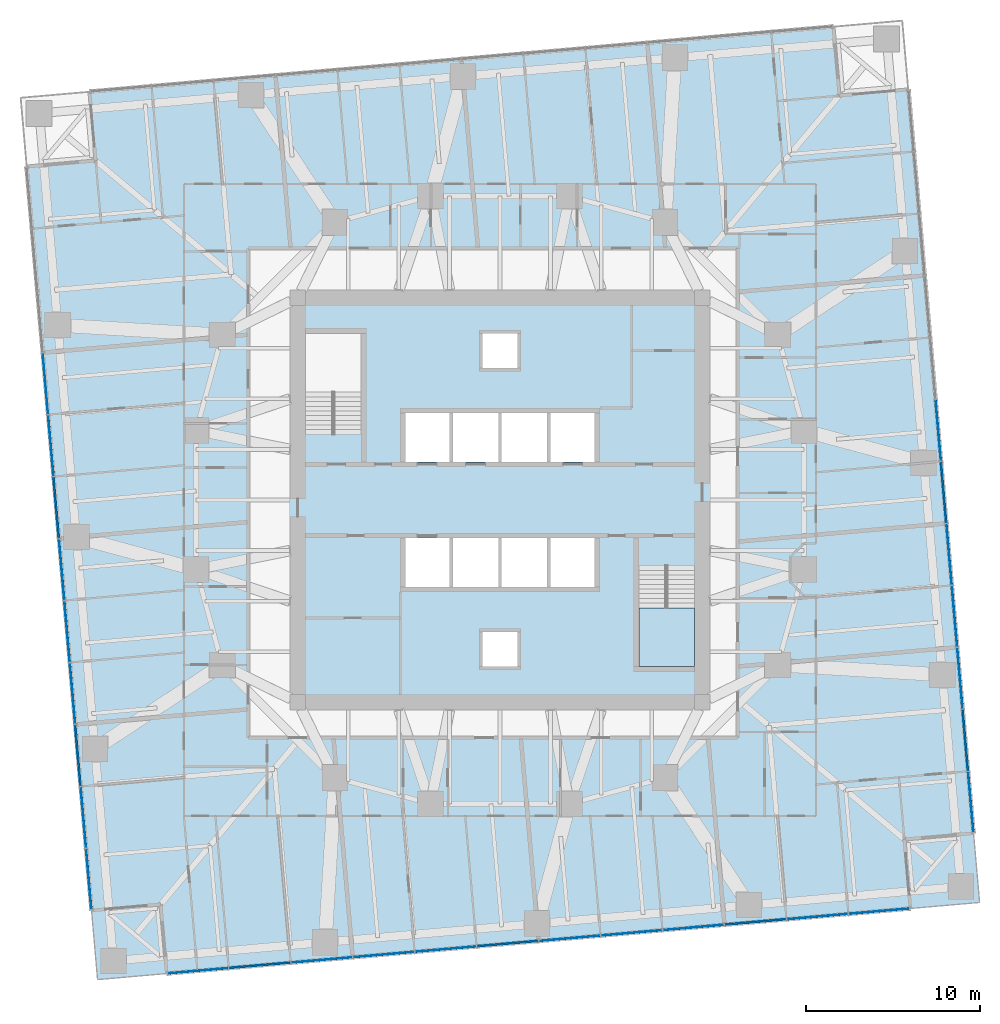
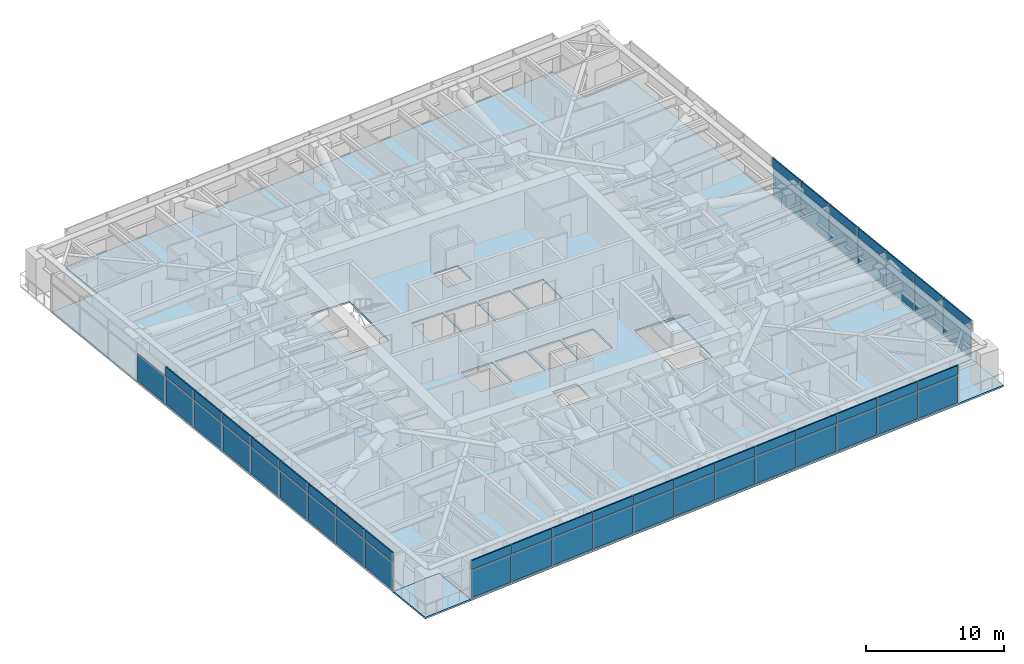
# One storey, part 9 of 18: 55 plates, 4 slabs, 4 elements without a shape of their own.
"""IFC4 building model written with IfcOpenShell, lengths in metres."""

from ifc_helpers import new_model, si_unit, direction, frame, origin, origin_2d, place, context, subcontext, project, spatial, polyline, rectangle, outline, extrude, material, layer, layer_set, type_object, element, aggregate, save


model = new_model("IFC4")

# Units and contexts
model_context = context("Model", 3, precision=1e-05, world=origin(), true_north=direction((0.0, 1.0)))
body_context = subcontext(model_context, "Body", "Model", "MODEL_VIEW")
ifc_project = project(units=[si_unit("LENGTHUNIT", "METRE"), si_unit("AREAUNIT", "SQUARE_METRE"), si_unit("VOLUMEUNIT", "CUBIC_METRE"), si_unit("PLANEANGLEUNIT", "RADIAN"), si_unit("MASSUNIT", "GRAM", prefix="KILO")], contexts=[model_context])

# Site, building, storey
site_placement = place(None, origin())
site = spatial("IfcSite", under=ifc_project, at=site_placement, CompositionType="ELEMENT")
building_placement = place(site_placement, origin())
building = spatial("IfcBuilding", under=site, at=building_placement, Name="Torsade Residences", CompositionType="ELEMENT")
storey_placement = place(building_placement, frame((0.0, 0.0, 71.0)))
storey = spatial("IfcBuildingStorey", under=building, at=storey_placement, Name="L19", CompositionType="ELEMENT", Elevation=71.0)

# Slab
ifc_material_1 = material(Name="Concrete 40 MPa", Category="concrete")
ifc_layer_1 = layer(ifc_material_1, 0.14990234375)
ifc_layer_set_1 = layer_set([ifc_layer_1], Name="Concrete 40 MPa")
slab_type_1 = type_object("IfcSlabType", Name="COMPOSITE FLOOR SLAB 150", PredefinedType="FLOOR", material=ifc_layer_set_1)
slab_1_placement = place(storey_placement, frame((0.0, 0.0, -0.14990234375)))
element("IfcSlab", 1, at=slab_1_placement, inside=storey, type_object=slab_type_1, Name="Floor slab L19", PredefinedType="FLOOR", context=body_context, shape_type="SweptSolid", body=[
    extrude(outline(polyline([(20.80419921875, 2.72314453125), (63.640625, 6.470947265625), (63.2919921875, 10.45556640625), (67.27685546875, 10.80419921875), (63.529052734375, 53.640625), (59.54443359375, 53.2919921875), (59.19580078125, 57.27685546875), (16.359375, 53.529052734375), (16.7080078125, 49.54443359375), (12.72314453125, 49.19580078125), (16.470947265625, 6.359375), (20.45556640625, 6.7080078125), (20.80419921875, 2.72314453125)]), holes=[polyline([(51.199951171875, 20.39990234375), (51.199951171875, 26.1201171875), (48.0, 26.1201171875), (48.0, 20.39990234375), (51.199951171875, 20.39990234375)]), polyline([(45.5, 27.800048828125), (42.89990234375, 27.800048828125), (42.89990234375, 25.0), (45.5, 25.0), (45.5, 27.800048828125)]), polyline([(45.5, 32.199951171875), (45.5, 35.0), (42.89990234375, 35.0), (42.89990234375, 32.199951171875), (45.5, 32.199951171875)]), polyline([(42.699951171875, 25.0), (42.699951171875, 27.800048828125), (40.10009765625, 27.800048828125), (40.10009765625, 25.0), (42.699951171875, 25.0)]), polyline([(42.699951171875, 32.199951171875), (42.699951171875, 35.0), (40.10009765625, 35.0), (40.10009765625, 32.199951171875), (42.699951171875, 32.199951171875)]), polyline([(41.0, 22.39990234375), (39.0, 22.39990234375), (39.0, 20.39990234375), (41.0, 20.39990234375), (41.0, 22.39990234375)]), polyline([(41.0, 37.60009765625), (41.0, 39.60009765625), (39.0, 39.60009765625), (39.0, 37.60009765625), (41.0, 37.60009765625)]), polyline([(39.89990234375, 25.0), (39.89990234375, 27.800048828125), (37.300048828125, 27.800048828125), (37.300048828125, 25.0), (39.89990234375, 25.0)]), polyline([(39.89990234375, 35.0), (37.300048828125, 35.0), (37.300048828125, 32.199951171875), (39.89990234375, 32.199951171875), (39.89990234375, 35.0)]), polyline([(37.10009765625, 27.800048828125), (34.5, 27.800048828125), (34.5, 25.0), (37.10009765625, 25.0), (37.10009765625, 27.800048828125)]), polyline([(37.10009765625, 32.199951171875), (37.10009765625, 35.0), (34.5, 35.0), (34.5, 32.199951171875), (37.10009765625, 32.199951171875)]), polyline([(32.0, 33.8798828125), (32.0, 39.60009765625), (28.800048828125, 39.60009765625), (28.800048828125, 33.8798828125), (32.0, 33.8798828125)])]), origin(), (0.0, 0.0, 1.0), 0.14990234375),
])

# Curtain wall, plates
ifc_material_2 = material(Name="Aluminium and glass", Category="aluminium")
curtain_wall_type = type_object("IfcCurtainWallType", Name="FRITTED GLASS CURTAIN WALL LOW ZONE", PredefinedType="NOTDEFINED", material=ifc_material_2)
curtain_wall_1_placement = place(storey_placement, origin())
curtain_wall_1 = element("IfcCurtainWall", 2, at=curtain_wall_1_placement, inside=storey, type_object=curtain_wall_type, Name="Curtain wall L19 face 1", PredefinedType="NOTDEFINED")
ifc_material_3 = material(Name="Laminated glass", Category="glass")
ifc_layer_2 = layer(ifc_material_3, 0.031982421875)
ifc_layer_set_2 = layer_set([ifc_layer_2], Name="Laminated glass")
plate_type_1 = type_object("IfcPlateType", Name="FRITTED GLASS PANEL", PredefinedType="CURTAIN_PANEL", material=ifc_layer_set_2)
plate_1_placement = place(storey_placement, frame((22.605224609375, 2.880859375, 0.10009765625), z_axis=(0.0, 0.0, 1.0), x_axis=(0.996194697964, 0.087155744208, 0.0)))
plate_1 = element("IfcPlate", 3, at=plate_1_placement, type_object=plate_type_1, Name="Panel 1", PredefinedType="CURTAIN_PANEL", context=body_context, shape_type="SweptSolid", body=[
    extrude(rectangle(XDim=3.48583984375, YDim=0.031982421875, at=origin_2d()), origin(), (0.0, 0.0, 1.0), 2.39990234375),
])
plate_2_placement = place(storey_placement, frame((29.728515625, 3.50390625, 0.10009765625), z_axis=(0.0, 0.0, 1.0), x_axis=(0.996194697964, 0.087155744208, 0.0)))
plate_2 = element("IfcPlate", 4, at=plate_2_placement, type_object=plate_type_1, Name="Panel 3", PredefinedType="CURTAIN_PANEL", context=body_context, shape_type="SweptSolid", body=[
    extrude(rectangle(XDim=3.518310546875, YDim=0.031982421875, at=origin_2d()), origin(), (0.0, 0.0, 1.0), 2.39990234375),
])
plate_3_placement = place(storey_placement, frame((33.29833984375, 3.816162109375, 0.10009765625), z_axis=(0.0, 0.0, 1.0), x_axis=(0.996194697964, 0.087155744208, 0.0)))
plate_3 = element("IfcPlate", 5, at=plate_3_placement, type_object=plate_type_1, Name="Panel 4", PredefinedType="CURTAIN_PANEL", context=body_context, shape_type="SweptSolid", body=[
    extrude(rectangle(XDim=3.518310546875, YDim=0.031982421875, at=origin_2d()), origin(), (0.0, 0.0, 1.0), 2.39990234375),
])
plate_4_placement = place(storey_placement, frame((36.867919921875, 4.128662109375, 0.10009765625), z_axis=(0.0, 0.0, 1.0), x_axis=(0.996194697964, 0.087155744208, 0.0)))
plate_4 = element("IfcPlate", 6, at=plate_4_placement, type_object=plate_type_1, Name="Panel 5", PredefinedType="CURTAIN_PANEL", context=body_context, shape_type="SweptSolid", body=[
    extrude(rectangle(XDim=3.518310546875, YDim=0.031982421875, at=origin_2d()), origin(), (0.0, 0.0, 1.0), 2.39990234375),
])
plate_5_placement = place(storey_placement, frame((44.00732421875, 4.753173828125, 0.10009765625), z_axis=(0.0, 0.0, 1.0), x_axis=(0.996194697964, 0.087155744208, 0.0)))
plate_5 = element("IfcPlate", 7, at=plate_5_placement, type_object=plate_type_1, Name="Panel 7", PredefinedType="CURTAIN_PANEL", context=body_context, shape_type="SweptSolid", body=[
    extrude(rectangle(XDim=3.518310546875, YDim=0.031982421875, at=origin_2d()), origin(), (0.0, 0.0, 1.0), 2.39990234375),
])
plate_6_placement = place(storey_placement, frame((47.576904296875, 5.0654296875, 0.10009765625), z_axis=(0.0, 0.0, 1.0), x_axis=(0.996194697964, 0.087155744208, 0.0)))
plate_6 = element("IfcPlate", 8, at=plate_6_placement, type_object=plate_type_1, Name="Panel 8", PredefinedType="CURTAIN_PANEL", context=body_context, shape_type="SweptSolid", body=[
    extrude(rectangle(XDim=3.518310546875, YDim=0.031982421875, at=origin_2d()), origin(), (0.0, 0.0, 1.0), 2.39990234375),
])
plate_7_placement = place(storey_placement, frame((51.146728515625, 5.377685546875, 0.10009765625), z_axis=(0.0, 0.0, 1.0), x_axis=(0.996194697964, 0.087155744208, 0.0)))
plate_7 = element("IfcPlate", 9, at=plate_7_placement, type_object=plate_type_1, Name="Panel 9", PredefinedType="CURTAIN_PANEL", context=body_context, shape_type="SweptSolid", body=[
    extrude(rectangle(XDim=3.518310546875, YDim=0.031982421875, at=origin_2d()), origin(), (0.0, 0.0, 1.0), 2.39990234375),
])
plate_8_placement = place(storey_placement, frame((58.2861328125, 6.00244140625, 0.10009765625), z_axis=(0.0, 0.0, 1.0), x_axis=(0.996194697964, 0.087155744208, 0.0)))
plate_8 = element("IfcPlate", 10, at=plate_8_placement, type_object=plate_type_1, Name="Panel 11", PredefinedType="CURTAIN_PANEL", context=body_context, shape_type="SweptSolid", body=[
    extrude(rectangle(XDim=3.518310546875, YDim=0.031982421875, at=origin_2d()), origin(), (0.0, 0.0, 1.0), 2.39990234375),
])
plate_9_placement = place(storey_placement, frame((61.839599609375, 6.313232421875, 0.10009765625), z_axis=(0.0, 0.0, 1.0), x_axis=(0.996194697964, 0.087155744208, 0.0)))
plate_9 = element("IfcPlate", 11, at=plate_9_placement, type_object=plate_type_1, Name="Panel 12", PredefinedType="CURTAIN_PANEL", context=body_context, shape_type="SweptSolid", body=[
    extrude(rectangle(XDim=3.48583984375, YDim=0.031982421875, at=origin_2d()), origin(), (0.0, 0.0, 1.0), 2.39990234375),
])

curtain_wall_2_placement = place(storey_placement, origin())
curtain_wall_2 = element("IfcCurtainWall", 12, at=curtain_wall_2_placement, inside=storey, type_object=curtain_wall_type, Name="Curtain wall L19 face 4", PredefinedType="NOTDEFINED")
plate_10_placement = place(storey_placement, frame((67.119140625, 12.605224609375, 0.10009765625), z_axis=(0.0, 0.0, 1.0), x_axis=(-0.087155744208, 0.996194697964, 0.0)))
plate_10 = element("IfcPlate", 13, at=plate_10_placement, type_object=plate_type_1, Name="Panel 1", PredefinedType="CURTAIN_PANEL", context=body_context, shape_type="SweptSolid", body=[
    extrude(rectangle(XDim=3.48583984375, YDim=0.031982421875, at=origin_2d()), origin(), (0.0, 0.0, 1.0), 2.39990234375),
])
plate_11_placement = place(storey_placement, frame((66.49609375, 19.728515625, 0.10009765625), z_axis=(0.0, 0.0, 1.0), x_axis=(-0.087155744208, 0.996194697964, 0.0)))
plate_11 = element("IfcPlate", 14, at=plate_11_placement, type_object=plate_type_1, Name="Panel 3", PredefinedType="CURTAIN_PANEL", context=body_context, shape_type="SweptSolid", body=[
    extrude(rectangle(XDim=3.518310546875, YDim=0.031982421875, at=origin_2d()), origin(), (0.0, 0.0, 1.0), 2.39990234375),
])
plate_12_placement = place(storey_placement, frame((66.183837890625, 23.29833984375, 0.10009765625), z_axis=(0.0, 0.0, 1.0), x_axis=(-0.087155744208, 0.996194697964, 0.0)))
plate_12 = element("IfcPlate", 15, at=plate_12_placement, type_object=plate_type_1, Name="Panel 4", PredefinedType="CURTAIN_PANEL", context=body_context, shape_type="SweptSolid", body=[
    extrude(rectangle(XDim=3.518310546875, YDim=0.031982421875, at=origin_2d()), origin(), (0.0, 0.0, 1.0), 2.39990234375),
])
plate_13_placement = place(storey_placement, frame((65.871337890625, 26.867919921875, 0.10009765625), z_axis=(0.0, 0.0, 1.0), x_axis=(-0.087155744208, 0.996194697964, 0.0)))
plate_13 = element("IfcPlate", 16, at=plate_13_placement, type_object=plate_type_1, Name="Panel 5", PredefinedType="CURTAIN_PANEL", context=body_context, shape_type="SweptSolid", body=[
    extrude(rectangle(XDim=3.518310546875, YDim=0.031982421875, at=origin_2d()), origin(), (0.0, 0.0, 1.0), 2.39990234375),
])
plate_14_placement = place(storey_placement, frame((65.246826171875, 34.00732421875, 0.10009765625), z_axis=(0.0, 0.0, 1.0), x_axis=(-0.087155744208, 0.996194697964, 0.0)))
plate_14 = element("IfcPlate", 17, at=plate_14_placement, type_object=plate_type_1, Name="Panel 7", PredefinedType="CURTAIN_PANEL", context=body_context, shape_type="SweptSolid", body=[
    extrude(rectangle(XDim=3.518310546875, YDim=0.031982421875, at=origin_2d()), origin(), (0.0, 0.0, 1.0), 2.39990234375),
])

curtain_wall_3_placement = place(storey_placement, origin())
curtain_wall_3 = element("IfcCurtainWall", 18, at=curtain_wall_3_placement, inside=storey, type_object=curtain_wall_type, Name="Curtain wall L19 face 10", PredefinedType="NOTDEFINED")
plate_15_placement = place(storey_placement, frame((13.816162109375, 36.70166015625, 0.10009765625), z_axis=(0.0, 0.0, 1.0), x_axis=(0.087155744208, -0.996194697964, 0.0)))
plate_15 = element("IfcPlate", 19, at=plate_15_placement, type_object=plate_type_1, Name="Panel 4", PredefinedType="CURTAIN_PANEL", context=body_context, shape_type="SweptSolid", body=[
    extrude(rectangle(XDim=3.518310546875, YDim=0.031982421875, at=origin_2d()), origin(), (0.0, 0.0, 1.0), 2.39990234375),
])
plate_16_placement = place(storey_placement, frame((14.128662109375, 33.132080078125, 0.10009765625), z_axis=(0.0, 0.0, 1.0), x_axis=(0.087155744208, -0.996194697964, 0.0)))
plate_16 = element("IfcPlate", 20, at=plate_16_placement, type_object=plate_type_1, Name="Panel 5", PredefinedType="CURTAIN_PANEL", context=body_context, shape_type="SweptSolid", body=[
    extrude(rectangle(XDim=3.518310546875, YDim=0.031982421875, at=origin_2d()), origin(), (0.0, 0.0, 1.0), 2.39990234375),
])
plate_17_placement = place(storey_placement, frame((14.753173828125, 25.99267578125, 0.10009765625), z_axis=(0.0, 0.0, 1.0), x_axis=(0.087155744208, -0.996194697964, 0.0)))
plate_17 = element("IfcPlate", 21, at=plate_17_placement, type_object=plate_type_1, Name="Panel 7", PredefinedType="CURTAIN_PANEL", context=body_context, shape_type="SweptSolid", body=[
    extrude(rectangle(XDim=3.518310546875, YDim=0.031982421875, at=origin_2d()), origin(), (0.0, 0.0, 1.0), 2.39990234375),
])
plate_18_placement = place(storey_placement, frame((15.0654296875, 22.423095703125, 0.10009765625), z_axis=(0.0, 0.0, 1.0), x_axis=(0.087155744208, -0.996194697964, 0.0)))
plate_18 = element("IfcPlate", 22, at=plate_18_placement, type_object=plate_type_1, Name="Panel 8", PredefinedType="CURTAIN_PANEL", context=body_context, shape_type="SweptSolid", body=[
    extrude(rectangle(XDim=3.518310546875, YDim=0.031982421875, at=origin_2d()), origin(), (0.0, 0.0, 1.0), 2.39990234375),
])
plate_19_placement = place(storey_placement, frame((15.377685546875, 18.853271484375, 0.10009765625), z_axis=(0.0, 0.0, 1.0), x_axis=(0.087155744208, -0.996194697964, 0.0)))
plate_19 = element("IfcPlate", 23, at=plate_19_placement, type_object=plate_type_1, Name="Panel 9", PredefinedType="CURTAIN_PANEL", context=body_context, shape_type="SweptSolid", body=[
    extrude(rectangle(XDim=3.518310546875, YDim=0.031982421875, at=origin_2d()), origin(), (0.0, 0.0, 1.0), 2.39990234375),
])
plate_20_placement = place(storey_placement, frame((16.00244140625, 11.7138671875, 0.10009765625), z_axis=(0.0, 0.0, 1.0), x_axis=(0.087155744208, -0.996194697964, 0.0)))
plate_20 = element("IfcPlate", 24, at=plate_20_placement, type_object=plate_type_1, Name="Panel 11", PredefinedType="CURTAIN_PANEL", context=body_context, shape_type="SweptSolid", body=[
    extrude(rectangle(XDim=3.518310546875, YDim=0.031982421875, at=origin_2d()), origin(), (0.0, 0.0, 1.0), 2.39990234375),
])
plate_21_placement = place(storey_placement, frame((16.313232421875, 8.160400390625, 0.10009765625), z_axis=(0.0, 0.0, 1.0), x_axis=(0.087155744208, -0.996194697964, 0.0)))
plate_21 = element("IfcPlate", 25, at=plate_21_placement, type_object=plate_type_1, Name="Panel 12", PredefinedType="CURTAIN_PANEL", context=body_context, shape_type="SweptSolid", body=[
    extrude(rectangle(XDim=3.48583984375, YDim=0.031982421875, at=origin_2d()), origin(), (0.0, 0.0, 1.0), 2.39990234375),
])

# Plate
ifc_material_4 = material(Name="Aluminium composite spandrel panel", Category="aluminium")
ifc_layer_3 = layer(ifc_material_4, 0.10009765625)
ifc_layer_set_3 = layer_set([ifc_layer_3], Name="Aluminium composite spandrel panel")
plate_type_2 = type_object("IfcPlateType", Name="OPAQUE SPANDREL PANEL", PredefinedType="CURTAIN_PANEL", material=ifc_layer_set_3)
plate_22_placement = place(storey_placement, frame((22.605224609375, 2.880859375, 2.60009765625), z_axis=(0.0, 0.0, 1.0), x_axis=(0.996194697964, 0.087155744208, 0.0)))
plate_22 = element("IfcPlate", 26, at=plate_22_placement, type_object=plate_type_2, Name="Spandrel panel 1", PredefinedType="CURTAIN_PANEL", context=body_context, shape_type="SweptSolid", body=[
    extrude(rectangle(XDim=3.48583984375, YDim=0.10009765625, at=origin_2d()), origin(), (0.0, 0.0, 1.0), 0.800048828125),
])

plate_23_placement = place(storey_placement, frame((26.158935546875, 3.191650390625, 2.60009765625), z_axis=(0.0, 0.0, 1.0), x_axis=(0.996194697964, 0.087155744208, 0.0)))
plate_23 = element("IfcPlate", 27, at=plate_23_placement, type_object=plate_type_2, Name="Spandrel panel 2", PredefinedType="CURTAIN_PANEL", context=body_context, shape_type="SweptSolid", body=[
    extrude(rectangle(XDim=3.518310546875, YDim=0.10009765625, at=origin_2d()), origin(), (0.0, 0.0, 1.0), 0.800048828125),
])

plate_24_placement = place(storey_placement, frame((29.728515625, 3.50390625, 2.60009765625), z_axis=(0.0, 0.0, 1.0), x_axis=(0.996194697964, 0.087155744208, 0.0)))
plate_24 = element("IfcPlate", 28, at=plate_24_placement, type_object=plate_type_2, Name="Spandrel panel 3", PredefinedType="CURTAIN_PANEL", context=body_context, shape_type="SweptSolid", body=[
    extrude(rectangle(XDim=3.518310546875, YDim=0.10009765625, at=origin_2d()), origin(), (0.0, 0.0, 1.0), 0.800048828125),
])

plate_25_placement = place(storey_placement, frame((33.29833984375, 3.816162109375, 2.60009765625), z_axis=(0.0, 0.0, 1.0), x_axis=(0.996194697964, 0.087155744208, 0.0)))
plate_25 = element("IfcPlate", 29, at=plate_25_placement, type_object=plate_type_2, Name="Spandrel panel 4", PredefinedType="CURTAIN_PANEL", context=body_context, shape_type="SweptSolid", body=[
    extrude(rectangle(XDim=3.518310546875, YDim=0.10009765625, at=origin_2d()), origin(), (0.0, 0.0, 1.0), 0.800048828125),
])

plate_26_placement = place(storey_placement, frame((36.867919921875, 4.128662109375, 2.60009765625), z_axis=(0.0, 0.0, 1.0), x_axis=(0.996194697964, 0.087155744208, 0.0)))
plate_26 = element("IfcPlate", 30, at=plate_26_placement, type_object=plate_type_2, Name="Spandrel panel 5", PredefinedType="CURTAIN_PANEL", context=body_context, shape_type="SweptSolid", body=[
    extrude(rectangle(XDim=3.518310546875, YDim=0.10009765625, at=origin_2d()), origin(), (0.0, 0.0, 1.0), 0.800048828125),
])

plate_27_placement = place(storey_placement, frame((40.437744140625, 4.44091796875, 2.60009765625), z_axis=(0.0, 0.0, 1.0), x_axis=(0.996194697964, 0.087155744208, 0.0)))
plate_27 = element("IfcPlate", 31, at=plate_27_placement, type_object=plate_type_2, Name="Spandrel panel 6", PredefinedType="CURTAIN_PANEL", context=body_context, shape_type="SweptSolid", body=[
    extrude(rectangle(XDim=3.518310546875, YDim=0.10009765625, at=origin_2d()), origin(), (0.0, 0.0, 1.0), 0.800048828125),
])

plate_28_placement = place(storey_placement, frame((44.00732421875, 4.753173828125, 2.60009765625), z_axis=(0.0, 0.0, 1.0), x_axis=(0.996194697964, 0.087155744208, 0.0)))
plate_28 = element("IfcPlate", 32, at=plate_28_placement, type_object=plate_type_2, Name="Spandrel panel 7", PredefinedType="CURTAIN_PANEL", context=body_context, shape_type="SweptSolid", body=[
    extrude(rectangle(XDim=3.518310546875, YDim=0.10009765625, at=origin_2d()), origin(), (0.0, 0.0, 1.0), 0.800048828125),
])

plate_29_placement = place(storey_placement, frame((47.576904296875, 5.0654296875, 2.60009765625), z_axis=(0.0, 0.0, 1.0), x_axis=(0.996194697964, 0.087155744208, 0.0)))
plate_29 = element("IfcPlate", 33, at=plate_29_placement, type_object=plate_type_2, Name="Spandrel panel 8", PredefinedType="CURTAIN_PANEL", context=body_context, shape_type="SweptSolid", body=[
    extrude(rectangle(XDim=3.518310546875, YDim=0.10009765625, at=origin_2d()), origin(), (0.0, 0.0, 1.0), 0.800048828125),
])

plate_30_placement = place(storey_placement, frame((51.146728515625, 5.377685546875, 2.60009765625), z_axis=(0.0, 0.0, 1.0), x_axis=(0.996194697964, 0.087155744208, 0.0)))
plate_30 = element("IfcPlate", 34, at=plate_30_placement, type_object=plate_type_2, Name="Spandrel panel 9", PredefinedType="CURTAIN_PANEL", context=body_context, shape_type="SweptSolid", body=[
    extrude(rectangle(XDim=3.518310546875, YDim=0.10009765625, at=origin_2d()), origin(), (0.0, 0.0, 1.0), 0.800048828125),
])

plate_31_placement = place(storey_placement, frame((54.71630859375, 5.690185546875, 2.60009765625), z_axis=(0.0, 0.0, 1.0), x_axis=(0.996194697964, 0.087155744208, 0.0)))
plate_31 = element("IfcPlate", 35, at=plate_31_placement, type_object=plate_type_2, Name="Spandrel panel 10", PredefinedType="CURTAIN_PANEL", context=body_context, shape_type="SweptSolid", body=[
    extrude(rectangle(XDim=3.518310546875, YDim=0.10009765625, at=origin_2d()), origin(), (0.0, 0.0, 1.0), 0.800048828125),
])

plate_32_placement = place(storey_placement, frame((58.2861328125, 6.00244140625, 2.60009765625), z_axis=(0.0, 0.0, 1.0), x_axis=(0.996194697964, 0.087155744208, 0.0)))
plate_32 = element("IfcPlate", 36, at=plate_32_placement, type_object=plate_type_2, Name="Spandrel panel 11", PredefinedType="CURTAIN_PANEL", context=body_context, shape_type="SweptSolid", body=[
    extrude(rectangle(XDim=3.518310546875, YDim=0.10009765625, at=origin_2d()), origin(), (0.0, 0.0, 1.0), 0.800048828125),
])

plate_33_placement = place(storey_placement, frame((61.839599609375, 6.313232421875, 2.60009765625), z_axis=(0.0, 0.0, 1.0), x_axis=(0.996194697964, 0.087155744208, 0.0)))
plate_33 = element("IfcPlate", 37, at=plate_33_placement, type_object=plate_type_2, Name="Spandrel panel 12", PredefinedType="CURTAIN_PANEL", context=body_context, shape_type="SweptSolid", body=[
    extrude(rectangle(XDim=3.48583984375, YDim=0.10009765625, at=origin_2d()), origin(), (0.0, 0.0, 1.0), 0.800048828125),
])

plate_34_placement = place(storey_placement, frame((67.119140625, 12.605224609375, 2.60009765625), z_axis=(0.0, 0.0, 1.0), x_axis=(-0.087155744208, 0.996194697964, 0.0)))
plate_34 = element("IfcPlate", 38, at=plate_34_placement, type_object=plate_type_2, Name="Spandrel panel 1", PredefinedType="CURTAIN_PANEL", context=body_context, shape_type="SweptSolid", body=[
    extrude(rectangle(XDim=3.48583984375, YDim=0.10009765625, at=origin_2d()), origin(), (0.0, 0.0, 1.0), 0.800048828125),
])

plate_35_placement = place(storey_placement, frame((66.808349609375, 16.158935546875, 2.60009765625), z_axis=(0.0, 0.0, 1.0), x_axis=(-0.087155744208, 0.996194697964, 0.0)))
plate_35 = element("IfcPlate", 39, at=plate_35_placement, type_object=plate_type_2, Name="Spandrel panel 2", PredefinedType="CURTAIN_PANEL", context=body_context, shape_type="SweptSolid", body=[
    extrude(rectangle(XDim=3.518310546875, YDim=0.10009765625, at=origin_2d()), origin(), (0.0, 0.0, 1.0), 0.800048828125),
])

plate_36_placement = place(storey_placement, frame((66.49609375, 19.728515625, 2.60009765625), z_axis=(0.0, 0.0, 1.0), x_axis=(-0.087155744208, 0.996194697964, 0.0)))
plate_36 = element("IfcPlate", 40, at=plate_36_placement, type_object=plate_type_2, Name="Spandrel panel 3", PredefinedType="CURTAIN_PANEL", context=body_context, shape_type="SweptSolid", body=[
    extrude(rectangle(XDim=3.518310546875, YDim=0.10009765625, at=origin_2d()), origin(), (0.0, 0.0, 1.0), 0.800048828125),
])

plate_37_placement = place(storey_placement, frame((66.183837890625, 23.29833984375, 2.60009765625), z_axis=(0.0, 0.0, 1.0), x_axis=(-0.087155744208, 0.996194697964, 0.0)))
plate_37 = element("IfcPlate", 41, at=plate_37_placement, type_object=plate_type_2, Name="Spandrel panel 4", PredefinedType="CURTAIN_PANEL", context=body_context, shape_type="SweptSolid", body=[
    extrude(rectangle(XDim=3.518310546875, YDim=0.10009765625, at=origin_2d()), origin(), (0.0, 0.0, 1.0), 0.800048828125),
])

plate_38_placement = place(storey_placement, frame((65.871337890625, 26.867919921875, 2.60009765625), z_axis=(0.0, 0.0, 1.0), x_axis=(-0.087155744208, 0.996194697964, 0.0)))
plate_38 = element("IfcPlate", 42, at=plate_38_placement, type_object=plate_type_2, Name="Spandrel panel 5", PredefinedType="CURTAIN_PANEL", context=body_context, shape_type="SweptSolid", body=[
    extrude(rectangle(XDim=3.518310546875, YDim=0.10009765625, at=origin_2d()), origin(), (0.0, 0.0, 1.0), 0.800048828125),
])

plate_39_placement = place(storey_placement, frame((65.55908203125, 30.437744140625, 2.60009765625), z_axis=(0.0, 0.0, 1.0), x_axis=(-0.087155744208, 0.996194697964, 0.0)))
plate_39 = element("IfcPlate", 43, at=plate_39_placement, type_object=plate_type_2, Name="Spandrel panel 6", PredefinedType="CURTAIN_PANEL", context=body_context, shape_type="SweptSolid", body=[
    extrude(rectangle(XDim=3.518310546875, YDim=0.10009765625, at=origin_2d()), origin(), (0.0, 0.0, 1.0), 0.800048828125),
])

plate_40_placement = place(storey_placement, frame((65.246826171875, 34.00732421875, 2.60009765625), z_axis=(0.0, 0.0, 1.0), x_axis=(-0.087155744208, 0.996194697964, 0.0)))
plate_40 = element("IfcPlate", 44, at=plate_40_placement, type_object=plate_type_2, Name="Spandrel panel 7", PredefinedType="CURTAIN_PANEL", context=body_context, shape_type="SweptSolid", body=[
    extrude(rectangle(XDim=3.518310546875, YDim=0.10009765625, at=origin_2d()), origin(), (0.0, 0.0, 1.0), 0.800048828125),
])

plate_41_placement = place(storey_placement, frame((14.128662109375, 33.132080078125, 2.60009765625), z_axis=(0.0, 0.0, 1.0), x_axis=(0.087155744208, -0.996194697964, 0.0)))
plate_41 = element("IfcPlate", 45, at=plate_41_placement, type_object=plate_type_2, Name="Spandrel panel 5", PredefinedType="CURTAIN_PANEL", context=body_context, shape_type="SweptSolid", body=[
    extrude(rectangle(XDim=3.518310546875, YDim=0.10009765625, at=origin_2d()), origin(), (0.0, 0.0, 1.0), 0.800048828125),
])

plate_42_placement = place(storey_placement, frame((14.44091796875, 29.562255859375, 2.60009765625), z_axis=(0.0, 0.0, 1.0), x_axis=(0.087155744208, -0.996194697964, 0.0)))
plate_42 = element("IfcPlate", 46, at=plate_42_placement, type_object=plate_type_2, Name="Spandrel panel 6", PredefinedType="CURTAIN_PANEL", context=body_context, shape_type="SweptSolid", body=[
    extrude(rectangle(XDim=3.518310546875, YDim=0.10009765625, at=origin_2d()), origin(), (0.0, 0.0, 1.0), 0.800048828125),
])

plate_43_placement = place(storey_placement, frame((14.753173828125, 25.99267578125, 2.60009765625), z_axis=(0.0, 0.0, 1.0), x_axis=(0.087155744208, -0.996194697964, 0.0)))
plate_43 = element("IfcPlate", 47, at=plate_43_placement, type_object=plate_type_2, Name="Spandrel panel 7", PredefinedType="CURTAIN_PANEL", context=body_context, shape_type="SweptSolid", body=[
    extrude(rectangle(XDim=3.518310546875, YDim=0.10009765625, at=origin_2d()), origin(), (0.0, 0.0, 1.0), 0.800048828125),
])

plate_44_placement = place(storey_placement, frame((15.0654296875, 22.423095703125, 2.60009765625), z_axis=(0.0, 0.0, 1.0), x_axis=(0.087155744208, -0.996194697964, 0.0)))
plate_44 = element("IfcPlate", 48, at=plate_44_placement, type_object=plate_type_2, Name="Spandrel panel 8", PredefinedType="CURTAIN_PANEL", context=body_context, shape_type="SweptSolid", body=[
    extrude(rectangle(XDim=3.518310546875, YDim=0.10009765625, at=origin_2d()), origin(), (0.0, 0.0, 1.0), 0.800048828125),
])

plate_45_placement = place(storey_placement, frame((15.377685546875, 18.853271484375, 2.60009765625), z_axis=(0.0, 0.0, 1.0), x_axis=(0.087155744208, -0.996194697964, 0.0)))
plate_45 = element("IfcPlate", 49, at=plate_45_placement, type_object=plate_type_2, Name="Spandrel panel 9", PredefinedType="CURTAIN_PANEL", context=body_context, shape_type="SweptSolid", body=[
    extrude(rectangle(XDim=3.518310546875, YDim=0.10009765625, at=origin_2d()), origin(), (0.0, 0.0, 1.0), 0.800048828125),
])

plate_46_placement = place(storey_placement, frame((15.690185546875, 15.28369140625, 2.60009765625), z_axis=(0.0, 0.0, 1.0), x_axis=(0.087155744208, -0.996194697964, 0.0)))
plate_46 = element("IfcPlate", 50, at=plate_46_placement, type_object=plate_type_2, Name="Spandrel panel 10", PredefinedType="CURTAIN_PANEL", context=body_context, shape_type="SweptSolid", body=[
    extrude(rectangle(XDim=3.518310546875, YDim=0.10009765625, at=origin_2d()), origin(), (0.0, 0.0, 1.0), 0.800048828125),
])

plate_47_placement = place(storey_placement, frame((16.00244140625, 11.7138671875, 2.60009765625), z_axis=(0.0, 0.0, 1.0), x_axis=(0.087155744208, -0.996194697964, 0.0)))
plate_47 = element("IfcPlate", 51, at=plate_47_placement, type_object=plate_type_2, Name="Spandrel panel 11", PredefinedType="CURTAIN_PANEL", context=body_context, shape_type="SweptSolid", body=[
    extrude(rectangle(XDim=3.518310546875, YDim=0.10009765625, at=origin_2d()), origin(), (0.0, 0.0, 1.0), 0.800048828125),
])

plate_48_placement = place(storey_placement, frame((16.313232421875, 8.160400390625, 2.60009765625), z_axis=(0.0, 0.0, 1.0), x_axis=(0.087155744208, -0.996194697964, 0.0)))
plate_48 = element("IfcPlate", 52, at=plate_48_placement, type_object=plate_type_2, Name="Spandrel panel 12", PredefinedType="CURTAIN_PANEL", context=body_context, shape_type="SweptSolid", body=[
    extrude(rectangle(XDim=3.48583984375, YDim=0.10009765625, at=origin_2d()), origin(), (0.0, 0.0, 1.0), 0.800048828125),
])

ifc_material_5 = material(Name="Laminated glass", Category="glass")
ifc_layer_4 = layer(ifc_material_5, 0.0400390625)
ifc_layer_set_4 = layer_set([ifc_layer_4], Name="Laminated glass")
plate_type_3 = type_object("IfcPlateType", Name="OPERABLE VENT PANEL", PredefinedType="CURTAIN_PANEL", material=ifc_layer_set_4)
plate_49_placement = place(storey_placement, frame((26.158935546875, 3.191650390625, 0.10009765625), z_axis=(0.0, 0.0, 1.0), x_axis=(0.996194697964, 0.087155744208, 0.0)))
plate_49 = element("IfcPlate", 53, at=plate_49_placement, type_object=plate_type_3, Name="Panel 2", PredefinedType="CURTAIN_PANEL", context=body_context, shape_type="SweptSolid", body=[
    extrude(rectangle(XDim=3.518310546875, YDim=0.0400390625, at=origin_2d()), origin(), (0.0, 0.0, 1.0), 2.39990234375),
])

plate_50_placement = place(storey_placement, frame((40.437744140625, 4.44091796875, 0.10009765625), z_axis=(0.0, 0.0, 1.0), x_axis=(0.996194697964, 0.087155744208, 0.0)))
plate_50 = element("IfcPlate", 54, at=plate_50_placement, type_object=plate_type_3, Name="Panel 6", PredefinedType="CURTAIN_PANEL", context=body_context, shape_type="SweptSolid", body=[
    extrude(rectangle(XDim=3.518310546875, YDim=0.0400390625, at=origin_2d()), origin(), (0.0, 0.0, 1.0), 2.39990234375),
])

plate_51_placement = place(storey_placement, frame((54.71630859375, 5.690185546875, 0.10009765625), z_axis=(0.0, 0.0, 1.0), x_axis=(0.996194697964, 0.087155744208, 0.0)))
plate_51 = element("IfcPlate", 55, at=plate_51_placement, type_object=plate_type_3, Name="Panel 10", PredefinedType="CURTAIN_PANEL", context=body_context, shape_type="SweptSolid", body=[
    extrude(rectangle(XDim=3.518310546875, YDim=0.0400390625, at=origin_2d()), origin(), (0.0, 0.0, 1.0), 2.39990234375),
])

aggregate(curtain_wall_1, [plate_1, plate_22, plate_49, plate_23, plate_2, plate_24, plate_3, plate_25, plate_4, plate_26, plate_50, plate_27, plate_5, plate_28, plate_6, plate_29, plate_7, plate_30, plate_51, plate_31, plate_8, plate_32, plate_9, plate_33])

plate_52_placement = place(storey_placement, frame((66.808349609375, 16.158935546875, 0.10009765625), z_axis=(0.0, 0.0, 1.0), x_axis=(-0.087155744208, 0.996194697964, 0.0)))
plate_52 = element("IfcPlate", 56, at=plate_52_placement, type_object=plate_type_3, Name="Panel 2", PredefinedType="CURTAIN_PANEL", context=body_context, shape_type="SweptSolid", body=[
    extrude(rectangle(XDim=3.518310546875, YDim=0.0400390625, at=origin_2d()), origin(), (0.0, 0.0, 1.0), 2.39990234375),
])

plate_53_placement = place(storey_placement, frame((65.55908203125, 30.437744140625, 0.10009765625), z_axis=(0.0, 0.0, 1.0), x_axis=(-0.087155744208, 0.996194697964, 0.0)))
plate_53 = element("IfcPlate", 57, at=plate_53_placement, type_object=plate_type_3, Name="Panel 6", PredefinedType="CURTAIN_PANEL", context=body_context, shape_type="SweptSolid", body=[
    extrude(rectangle(XDim=3.518310546875, YDim=0.0400390625, at=origin_2d()), origin(), (0.0, 0.0, 1.0), 2.39990234375),
])

aggregate(curtain_wall_2, [plate_10, plate_34, plate_52, plate_35, plate_11, plate_36, plate_12, plate_37, plate_13, plate_38, plate_53, plate_39, plate_14, plate_40])

plate_54_placement = place(storey_placement, frame((14.44091796875, 29.562255859375, 0.10009765625), z_axis=(0.0, 0.0, 1.0), x_axis=(0.087155744208, -0.996194697964, 0.0)))
plate_54 = element("IfcPlate", 58, at=plate_54_placement, type_object=plate_type_3, Name="Panel 6", PredefinedType="CURTAIN_PANEL", context=body_context, shape_type="SweptSolid", body=[
    extrude(rectangle(XDim=3.518310546875, YDim=0.0400390625, at=origin_2d()), origin(), (0.0, 0.0, 1.0), 2.39990234375),
])

plate_55_placement = place(storey_placement, frame((15.690185546875, 15.28369140625, 0.10009765625), z_axis=(0.0, 0.0, 1.0), x_axis=(0.087155744208, -0.996194697964, 0.0)))
plate_55 = element("IfcPlate", 59, at=plate_55_placement, type_object=plate_type_3, Name="Panel 10", PredefinedType="CURTAIN_PANEL", context=body_context, shape_type="SweptSolid", body=[
    extrude(rectangle(XDim=3.518310546875, YDim=0.0400390625, at=origin_2d()), origin(), (0.0, 0.0, 1.0), 2.39990234375),
])

aggregate(curtain_wall_3, [plate_15, plate_16, plate_41, plate_54, plate_42, plate_17, plate_43, plate_18, plate_44, plate_19, plate_45, plate_55, plate_46, plate_20, plate_47, plate_21, plate_48])

# Stair, slab
ifc_material_6 = material(Name="Precast concrete 40 MPa", Category="concrete")
stair_type = type_object("IfcStairType", Name="HALF-TURN FIRE STAIR 1500x3400", PredefinedType="HALF_TURN_STAIR", material=ifc_material_6)
stair_placement = place(storey_placement, origin())
stair = element("IfcStair", 60, at=stair_placement, inside=storey, type_object=stair_type, Name="Stair ST2 L19", PredefinedType="HALF_TURN_STAIR")
ifc_material_7 = material(Name="Precast concrete 40 MPa", Category="concrete")
ifc_layer_5 = layer(ifc_material_7, 0.179931640625)
ifc_layer_set_5 = layer_set([ifc_layer_5], Name="Precast concrete 40 MPa")
slab_type_2 = type_object("IfcSlabType", Name="PRECAST STAIR LANDING 180", PredefinedType="LANDING", material=ifc_layer_set_5)
slab_2_placement = place(storey_placement, frame((0.0, 0.0, 1.52001953125)))
slab_2 = element("IfcSlab", 61, at=slab_2_placement, type_object=slab_type_2, Name="ST2 landing 1", PredefinedType="LANDING", context=body_context, shape_type="SweptSolid", body=[
    extrude(outline(polyline([(48.0, 20.39990234375), (51.199951171875, 20.39990234375), (51.199951171875, 23.7900390625), (48.0, 23.7900390625), (48.0, 20.39990234375)])), origin(), (0.0, 0.0, 1.0), 0.179931640625),
])
aggregate(stair, [slab_2])

# Slabs
ifc_material_8 = material(Name="Concrete 40 MPa", Category="concrete")
ifc_layer_6 = layer(ifc_material_8, 0.14990234375)
ifc_layer_set_6 = layer_set([ifc_layer_6], Name="Concrete 40 MPa")
slab_type_3 = type_object("IfcSlabType", Name="TERRACE SLAB 150", PredefinedType="FLOOR", material=ifc_layer_set_6)
slab_3_placement = place(storey_placement, frame((0.0, 0.0, -0.14990234375)))
element("IfcSlab", 62, at=slab_3_placement, inside=storey, type_object=slab_type_3, Name="Corner terrace slab SE L19", PredefinedType="FLOOR", context=body_context, shape_type="SweptSolid", body=[
    extrude(outline(polyline([(63.640625, 6.470947265625), (67.62548828125, 6.819580078125), (67.27685546875, 10.80419921875), (63.2919921875, 10.45556640625), (63.640625, 6.470947265625)])), origin(), (0.0, 0.0, 1.0), 0.14990234375),
])
slab_4_placement = place(storey_placement, frame((0.0, 0.0, -0.14990234375)))
element("IfcSlab", 63, at=slab_4_placement, inside=storey, type_object=slab_type_3, Name="Corner terrace slab SW L19", PredefinedType="FLOOR", context=body_context, shape_type="SweptSolid", body=[
    extrude(outline(polyline([(16.819580078125, 2.37451171875), (20.80419921875, 2.72314453125), (20.45556640625, 6.7080078125), (16.470947265625, 6.359375), (16.819580078125, 2.37451171875)])), origin(), (0.0, 0.0, 1.0), 0.14990234375),
])

save(model, "model.ifc")
